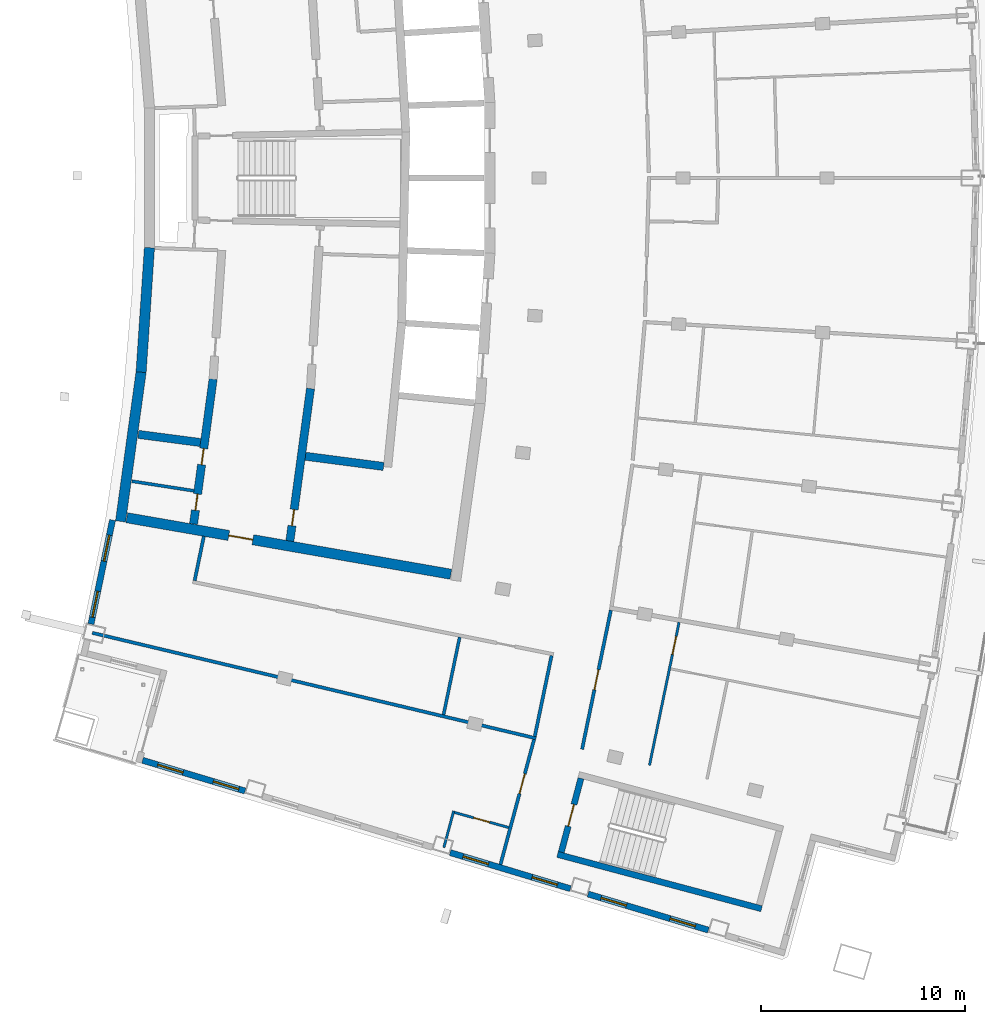
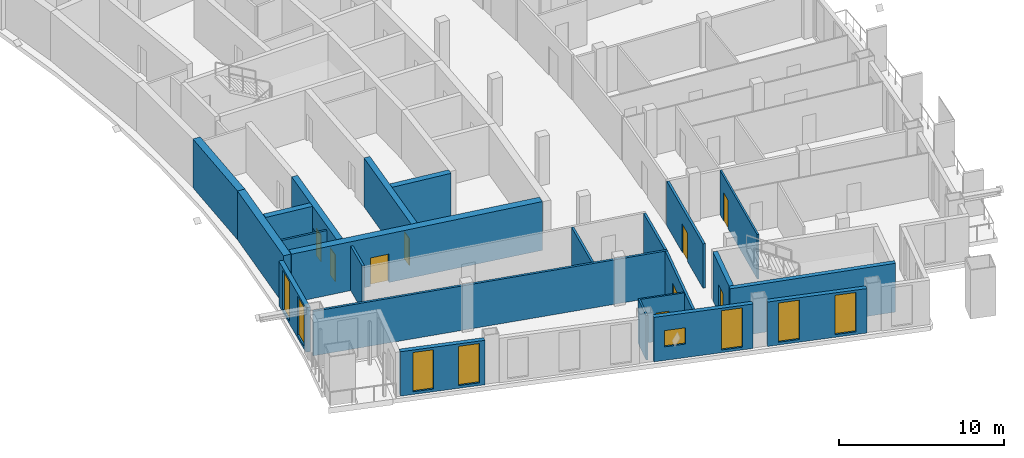
# One storey, part 7 of 15: 23 walls, 9 doors, 8 windows, 17 openings.
"""IFC4 building model written with IfcOpenShell, lengths in metres."""

from ifc_helpers import new_model, si_unit, direction, frame, frame_2d, origin, place, context, subcontext, project, spatial, rectangle, extrude, material, layer, layer_set, type_object, element, fill, save


model = new_model("IFC4")

# Units and contexts
model_context = context("Model", 3, precision=1e-05, world=origin(), true_north=direction((0.0, 1.0)))
body_context = subcontext(model_context, "Body", "Model", "MODEL_VIEW")
ifc_project = project(units=[si_unit("LENGTHUNIT", "METRE"), si_unit("AREAUNIT", "SQUARE_METRE"), si_unit("VOLUMEUNIT", "CUBIC_METRE"), si_unit("PLANEANGLEUNIT", "RADIAN"), si_unit("MASSUNIT", "GRAM", prefix="KILO")], contexts=[model_context])

# Site, building, storey
site_placement = place(None, origin())
site = spatial("IfcSite", under=ifc_project, at=site_placement, CompositionType="ELEMENT")
building_placement = place(site_placement, origin())
building = spatial("IfcBuilding", under=site, at=building_placement, Name="Alderwake Tower", CompositionType="ELEMENT")
storey_placement = place(building_placement, frame((0.0, 0.0, 252.800048828125)))
storey = spatial("IfcBuildingStorey", under=building, at=storey_placement, Name="L62", CompositionType="ELEMENT", Elevation=252.800048828125)

# Walls
ifc_material_1 = material(Name="Gypsum shaft wall system, rated")
ifc_layer_1 = layer(ifc_material_1, 0.14990234375)
ifc_layer_set_1 = layer_set([ifc_layer_1], Name="Core room partition 150")
wall_type_1 = type_object("IfcWallType", Name="Core room partition 150", PredefinedType="PARTITIONING", material=ifc_layer_set_1)
wall_1_placement = place(storey_placement, frame((15.826416015625, 46.128662109375, 0.0), z_axis=(0.0, 0.0, 1.0), x_axis=(0.988169349882, -0.153366671587, 0.0)))
element("IfcWall", 1, at=wall_1_placement, inside=storey, type_object=wall_type_1, Name="CW/L62/PR-161_+0", PredefinedType="PARTITIONING", context=body_context, shape_type="SweptSolid", body=[
    extrude(rectangle(XDim=3.081787109375, YDim=0.14990234375, at=frame_2d((1.541015625, 0.0))), origin(), (0.0, 0.0, 1.0), 3.280029296875),
])
ifc_material_2 = material(Name="Concrete C70/85", Category="concrete")
ifc_layer_2 = layer(ifc_material_2, 0.5)
ifc_layer_set_2 = layer_set([ifc_layer_2], Name="Core wall outer 500 C70-85")
wall_type_2 = type_object("IfcWallType", Name="Core wall outer 500 C70-85", PredefinedType="SHEAR", material=ifc_layer_set_2)
wall_2_placement = place(storey_placement, frame((15.272216796875, 44.155029296875, 0.0), z_axis=(0.0, 0.0, 1.0), x_axis=(0.13632182908, 0.990664604655, 0.0)))
element("IfcWall", 2, at=wall_2_placement, inside=storey, type_object=wall_type_2, Name="Core wall CW.028", PredefinedType="SHEAR", context=body_context, shape_type="SweptSolid", body=[
    extrude(rectangle(XDim=7.408935546875, YDim=0.5, at=frame_2d((3.70458984375, 0.0))), origin(), (0.0, 0.0, 1.0), 3.599853515625),
])
wall_3_placement = place(storey_placement, frame((16.280517578125, 51.4765625, 0.0), z_axis=(0.0, 0.0, 1.0), x_axis=(0.066863022947, 0.997762164127, 0.0)))
element("IfcWall", 3, at=wall_3_placement, inside=storey, type_object=wall_type_2, Name="Core wall CW.027", PredefinedType="SHEAR", context=body_context, shape_type="SweptSolid", body=[
    extrude(rectangle(XDim=6.123291015625, YDim=0.5, at=frame_2d((3.0615234375, 0.0))), origin(), (0.0, 0.0, 1.0), 3.599853515625),
])

# Wall, opening, door
wall_4_placement = place(storey_placement, frame((31.47802734375, 41.564453125, 0.0), z_axis=(0.0, 0.0, 1.0), x_axis=(-0.985140274783, 0.171751678306, 0.0)))
wall_4 = element("IfcWall", 4, at=wall_4_placement, inside=storey, type_object=wall_type_2, Name="Core wall CW.072", PredefinedType="SHEAR", context=body_context, shape_type="SweptSolid", body=[
    extrude(rectangle(XDim=16.137939453125, YDim=0.5, at=frame_2d((8.06884765625, 0.0))), origin(), (0.0, 0.0, 1.0), 3.599853515625),
])
opening_1_placement = place(wall_4_placement, frame((9.859619140625, 0.0, 0.0)))
opening_1 = element("IfcOpeningElement", 5, at=opening_1_placement, cuts=wall_4, Name="Opening C003", PredefinedType="OPENING", context=body_context, shape_type="SweptSolid", body=[
    extrude(rectangle(XDim=1.199951171875, YDim=2.10009765625, at=frame_2d((0.60009765625, 1.050048828125))), frame((0.0, 0.260009765625, 0.0), z_axis=(0.0, -1.0, 0.0), x_axis=(1.0, 0.0, 0.0)), (0.0, 0.0, 1.0), 0.52001953125),
])
ifc_material_3 = material(Name="Steel-framed fire door leaf", Category="steel")
door_type_1 = type_object("IfcDoorType", Name="Core lobby exit door 1200 fire-rated", OperationType="SINGLE_SWING_LEFT", PredefinedType="DOOR", material=ifc_material_3)
door_1_placement = place(opening_1_placement, origin())
door_1 = element("IfcDoor", 6, at=door_1_placement, inside=storey, type_object=door_type_1, Name="Lobby door", OperationType="SINGLE_SWING_LEFT", OverallHeight=2.10009765625, OverallWidth=1.199951171875, PredefinedType="DOOR", context=body_context, shape_type="SweptSolid", body=[
    extrude(rectangle(XDim=1.199951171875, YDim=2.10009765625, at=frame_2d((0.60009765625, 1.050048828125))), frame((0.0, 0.02490234375, 0.0), z_axis=(0.0, -1.0, 0.0), x_axis=(1.0, 0.0, 0.0)), (0.0, 0.0, 1.0), 0.050048828125),
])
fill(opening_1, door_1)

# Wall, openings, doors
ifc_material_4 = material(Name="Concrete C70/85", Category="concrete")
ifc_layer_3 = layer(ifc_material_4, 0.39990234375)
ifc_layer_set_3 = layer_set([ifc_layer_3], Name="Core wall spine 400 C70-85")
wall_type_3 = type_object("IfcWallType", Name="Core wall spine 400 C70-85", PredefinedType="SHEAR", material=ifc_layer_set_3)
wall_5_placement = place(storey_placement, frame((19.814697265625, 51.143798828125, 0.0), z_axis=(0.0, 0.0, 1.0), x_axis=(-0.133823115837, -0.991005233925, 0.0)))
wall_5 = element("IfcWall", 7, at=wall_5_placement, inside=storey, type_object=wall_type_3, Name="Core wall CW.033", PredefinedType="SHEAR", context=body_context, shape_type="SweptSolid", body=[
    extrude(rectangle(XDim=7.1787109375, YDim=0.39990234375, at=frame_2d((3.58935546875, 0.0))), origin(), (0.0, 0.0, 1.0), 3.599853515625),
])
opening_2_placement = place(wall_5_placement, frame((5.69677734375, 0.0, 0.0)))
opening_2 = element("IfcOpeningElement", 8, at=opening_2_placement, cuts=wall_5, Name="Opening C009", PredefinedType="OPENING", context=body_context, shape_type="SweptSolid", body=[
    extrude(rectangle(XDim=0.800048828125, YDim=2.0, at=frame_2d((0.39990234375, 1.0))), frame((0.0, 0.2099609375, 0.0), z_axis=(0.0, -1.0, 0.0), x_axis=(1.0, 0.0, 0.0)), (0.0, 0.0, 1.0), 0.419921875),
])
opening_3_placement = place(wall_5_placement, frame((3.443115234375, 0.0, 0.0)))
opening_3 = element("IfcOpeningElement", 9, at=opening_3_placement, cuts=wall_5, Name="Opening C010", PredefinedType="OPENING", context=body_context, shape_type="SweptSolid", body=[
    extrude(rectangle(XDim=0.800048828125, YDim=2.0, at=frame_2d((0.39990234375, 1.0))), frame((0.0, 0.2099609375, 0.0), z_axis=(0.0, -1.0, 0.0), x_axis=(1.0, 0.0, 0.0)), (0.0, 0.0, 1.0), 0.419921875),
])
ifc_material_5 = material(Name="Painted steel leaf, rated", Category="steel")
door_type_2 = type_object("IfcDoorType", Name="Riser access door 800", OperationType="SINGLE_SWING_LEFT", PredefinedType="DOOR", material=ifc_material_5)
door_2_placement = place(opening_2_placement, origin())
door_2 = element("IfcDoor", 10, at=door_2_placement, inside=storey, type_object=door_type_2, Name="Riser access door", OperationType="SINGLE_SWING_LEFT", OverallHeight=2.0, OverallWidth=0.800048828125, PredefinedType="DOOR", context=body_context, shape_type="SweptSolid", body=[
    extrude(rectangle(XDim=0.800048828125, YDim=2.0, at=frame_2d((0.39990234375, 1.0))), frame((0.0, 0.02490234375, 0.0), z_axis=(0.0, -1.0, 0.0), x_axis=(1.0, 0.0, 0.0)), (0.0, 0.0, 1.0), 0.050048828125),
])
fill(opening_2, door_2)
door_3_placement = place(opening_3_placement, origin())
door_3 = element("IfcDoor", 11, at=door_3_placement, inside=storey, type_object=door_type_2, Name="Riser access door", OperationType="SINGLE_SWING_RIGHT", OverallHeight=2.0, OverallWidth=0.800048828125, PredefinedType="DOOR", context=body_context, shape_type="SweptSolid", body=[
    extrude(rectangle(XDim=0.800048828125, YDim=2.0, at=frame_2d((0.39990234375, 1.0))), frame((0.0, 0.02490234375, 0.0), z_axis=(0.0, -1.0, 0.0), x_axis=(1.0, 0.0, 0.0)), (0.0, 0.0, 1.0), 0.050048828125),
])
fill(opening_3, door_3)

# Wall, opening, door
wall_6_placement = place(storey_placement, frame((23.58056640625, 43.19384765625, 0.0), z_axis=(0.0, 0.0, 1.0), x_axis=(0.133962545762, 0.990986395635, 0.0)))
wall_6 = element("IfcWall", 12, at=wall_6_placement, inside=storey, type_object=wall_type_3, Name="Core wall CW.047", PredefinedType="SHEAR", context=body_context, shape_type="SweptSolid", body=[
    extrude(rectangle(XDim=7.546875, YDim=0.39990234375, at=frame_2d((3.7734375, 0.0))), origin(), (0.0, 0.0, 1.0), 3.599853515625),
])
opening_4_placement = place(wall_6_placement, frame((0.7578125, 0.0, 0.0)))
opening_4 = element("IfcOpeningElement", 13, at=opening_4_placement, cuts=wall_6, Name="Opening C013", PredefinedType="OPENING", context=body_context, shape_type="SweptSolid", body=[
    extrude(rectangle(XDim=0.800048828125, YDim=2.0, at=frame_2d((0.39990234375, 1.0))), frame((0.0, 0.2099609375, 0.0), z_axis=(0.0, -1.0, 0.0), x_axis=(1.0, 0.0, 0.0)), (0.0, 0.0, 1.0), 0.419921875),
])
door_4_placement = place(opening_4_placement, origin())
door_4 = element("IfcDoor", 14, at=door_4_placement, inside=storey, type_object=door_type_2, Name="Riser access door", OperationType="SINGLE_SWING_LEFT", OverallHeight=2.0, OverallWidth=0.800048828125, PredefinedType="DOOR", context=body_context, shape_type="SweptSolid", body=[
    extrude(rectangle(XDim=0.800048828125, YDim=2.0, at=frame_2d((0.39990234375, 1.0))), frame((0.0, 0.02490234375, 0.0), z_axis=(0.0, -1.0, 0.0), x_axis=(1.0, 0.0, 0.0)), (0.0, 0.0, 1.0), 0.050048828125),
])
fill(opening_4, door_4)

# Walls
wall_7_placement = place(storey_placement, frame((16.142578125, 48.42529296875, 0.0), z_axis=(0.0, 0.0, 1.0), x_axis=(0.991550757989, -0.129719290517, 0.0)))
element("IfcWall", 15, at=wall_7_placement, inside=storey, type_object=wall_type_3, Name="Core wall CW.067", PredefinedType="SHEAR", context=body_context, shape_type="SweptSolid", body=[
    extrude(rectangle(XDim=3.0751953125, YDim=0.39990234375, at=frame_2d((1.53759765625, 0.0))), origin(), (0.0, 0.0, 1.0), 3.599853515625),
])
wall_8_placement = place(storey_placement, frame((24.344482421875, 47.3525390625, 0.0), z_axis=(0.0, 0.0, 1.0), x_axis=(0.991554578278, -0.12969008557, 0.0)))
element("IfcWall", 16, at=wall_8_placement, inside=storey, type_object=wall_type_3, Name="Core wall CW.069", PredefinedType="SHEAR", context=body_context, shape_type="SweptSolid", body=[
    extrude(rectangle(XDim=3.86669921875, YDim=0.39990234375, at=frame_2d((1.933349609375, 0.0))), origin(), (0.0, 0.0, 1.0), 3.599853515625),
])
ifc_material_6 = material(Name="Concrete C70/85", Category="concrete")
ifc_layer_4 = layer(ifc_material_6, 0.300048828125)
ifc_layer_set_4 = layer_set([ifc_layer_4], Name="Core wall stair enclosure 300 C70-85")
wall_type_4 = type_object("IfcWallType", Name="Core wall stair enclosure 300 C70-85", PredefinedType="SHEAR", material=ifc_layer_set_4)
wall_9_placement = place(storey_placement, frame((36.71142578125, 27.817626953125, 0.0), z_axis=(0.0, 0.0, 1.0), x_axis=(0.966309214305, -0.257383958996, 0.0)))
element("IfcWall", 17, at=wall_9_placement, inside=storey, type_object=wall_type_4, Name="Core wall CW.088", PredefinedType="SHEAR", context=body_context, shape_type="SweptSolid", body=[
    extrude(rectangle(XDim=10.360107421875, YDim=0.300048828125, at=frame_2d((5.18017578125, 0.0))), origin(), (0.0, 0.0, 1.0), 3.599853515625),
])

# Wall, opening, door
wall_10_placement = place(storey_placement, frame((36.89501953125, 27.923828125, 0.0), z_axis=(0.0, 0.0, 1.0), x_axis=(0.257350630826, 0.966318090907, 0.0)))
wall_10 = element("IfcWall", 18, at=wall_10_placement, inside=storey, type_object=wall_type_4, Name="Core wall CW.087", PredefinedType="SHEAR", context=body_context, shape_type="SweptSolid", body=[
    extrude(rectangle(XDim=3.75, YDim=0.300048828125, at=frame_2d((1.875, 0.0))), origin(), (0.0, 0.0, 1.0), 3.599853515625),
])
opening_5_placement = place(wall_10_placement, frame((1.324951171875, 0.0, 0.0)))
opening_5 = element("IfcOpeningElement", 19, at=opening_5_placement, cuts=wall_10, Name="Opening C065", PredefinedType="OPENING", context=body_context, shape_type="SweptSolid", body=[
    extrude(rectangle(XDim=1.10009765625, YDim=2.10009765625, at=frame_2d((0.550048828125, 1.050048828125))), frame((0.0, 0.159912109375, 0.0), z_axis=(0.0, -1.0, 0.0), x_axis=(1.0, 0.0, 0.0)), (0.0, 0.0, 1.0), 0.320068359375),
])
ifc_material_7 = material(Name="Steel-framed fire door leaf", Category="steel")
door_type_3 = type_object("IfcDoorType", Name="Core stair door 1100 fire-rated", OperationType="SINGLE_SWING_LEFT", PredefinedType="DOOR", material=ifc_material_7)
door_5_placement = place(opening_5_placement, origin())
door_5 = element("IfcDoor", 20, at=door_5_placement, inside=storey, type_object=door_type_3, Name="Stair door", OperationType="SINGLE_SWING_LEFT", OverallHeight=2.10009765625, OverallWidth=1.10009765625, PredefinedType="DOOR", context=body_context, shape_type="SweptSolid", body=[
    extrude(rectangle(XDim=1.10009765625, YDim=2.10009765625, at=frame_2d((0.550048828125, 1.050048828125))), frame((0.0, 0.02490234375, 0.0), z_axis=(0.0, -1.0, 0.0), x_axis=(1.0, 0.0, 0.0)), (0.0, 0.0, 1.0), 0.050048828125),
])
fill(opening_5, door_5)

# Walls
ifc_material_8 = material(Name="Gypsum board on metal studs, rated")
ifc_layer_5 = layer(ifc_material_8, 0.159912109375)
ifc_layer_set_5 = layer_set([ifc_layer_5], Name="Corridor wall 160")
wall_type_5 = type_object("IfcWallType", Name="Corridor wall 160", PredefinedType="PARTITIONING", material=ifc_layer_set_5)
wall_11_placement = place(storey_placement, frame((13.884033203125, 38.68798828125, 0.0), z_axis=(0.0, 0.0, 1.0), x_axis=(0.972893462073, -0.231253781493, 0.0)))
element("IfcWall", 21, at=wall_11_placement, inside=storey, type_object=wall_type_5, Name="WL/L62/W08", PredefinedType="PARTITIONING", context=body_context, shape_type="SweptSolid", body=[
    extrude(rectangle(XDim=22.38037109375, YDim=0.159912109375, at=frame_2d((11.190185546875, 0.0))), origin(), (0.0, 0.0, 1.0), 3.280029296875),
])
wall_12_placement = place(storey_placement, frame((19.35888671875, 43.430908203125, 0.0), z_axis=(0.0, 0.0, 1.0), x_axis=(-0.202554916658, -0.979270905183, 0.0)))
element("IfcWall", 22, at=wall_12_placement, inside=storey, type_object=wall_type_5, Name="WL/L62/W10", PredefinedType="PARTITIONING", context=body_context, shape_type="SweptSolid", body=[
    extrude(rectangle(XDim=2.229736328125, YDim=0.159912109375, at=frame_2d((1.11474609375, 0.0))), origin(), (0.0, 0.0, 1.0), 3.280029296875),
])

# Wall, opening, door
wall_13_placement = place(storey_placement, frame((33.912109375, 27.321044921875, 0.0), z_axis=(0.0, 0.0, 1.0), x_axis=(0.259370874835, 0.965777794986, 0.0)))
wall_13 = element("IfcWall", 23, at=wall_13_placement, inside=storey, type_object=wall_type_5, Name="WL/L62/W13", PredefinedType="PARTITIONING", context=body_context, shape_type="SweptSolid", body=[
    extrude(rectangle(XDim=6.349853515625, YDim=0.159912109375, at=frame_2d((3.1748046875, 0.0))), origin(), (0.0, 0.0, 1.0), 3.280029296875),
])
opening_6_placement = place(wall_13_placement, frame((3.603515625, 0.0, 0.0)))
opening_6 = element("IfcOpeningElement", 24, at=opening_6_placement, cuts=wall_13, Name="Opening R17-U08.1", PredefinedType="OPENING", context=body_context, shape_type="SweptSolid", body=[
    extrude(rectangle(XDim=1.0, YDim=2.10009765625, at=frame_2d((0.5, 1.050048828125))), frame((0.0, 0.08984375, 0.0), z_axis=(0.0, -1.0, 0.0), x_axis=(1.0, 0.0, 0.0)), (0.0, 0.0, 1.0), 0.179931640625),
])
ifc_material_9 = material(Name="Solid timber leaf in steel frame", Category="steel")
door_type_4 = type_object("IfcDoorType", Name="Flat entrance door 1000 fire-rated", OperationType="SINGLE_SWING_LEFT", PredefinedType="DOOR", material=ifc_material_9)
door_6_placement = place(opening_6_placement, origin())
door_6 = element("IfcDoor", 25, at=door_6_placement, inside=storey, type_object=door_type_4, Name="DR/L62/U08.1", OperationType="SINGLE_SWING_LEFT", OverallHeight=2.10009765625, OverallWidth=1.0, PredefinedType="DOOR", context=body_context, shape_type="SweptSolid", body=[
    extrude(rectangle(XDim=1.0, YDim=2.10009765625, at=frame_2d((0.5, 1.050048828125))), frame((0.0, 0.02490234375, 0.0), z_axis=(0.0, -1.0, 0.0), x_axis=(1.0, 0.0, 0.0)), (0.0, 0.0, 1.0), 0.050048828125),
])
fill(opening_6, door_6)

# Wall
wall_14_placement = place(storey_placement, frame((36.418701171875, 37.57177734375, 0.0), z_axis=(0.0, 0.0, 1.0), x_axis=(-0.203245920818, -0.979127721838, 0.0)))
element("IfcWall", 26, at=wall_14_placement, inside=storey, type_object=wall_type_5, Name="WL/L62/W16", PredefinedType="PARTITIONING", context=body_context, shape_type="SweptSolid", body=[
    extrude(rectangle(XDim=4.046875, YDim=0.159912109375, at=frame_2d((2.0234375, 0.0))), origin(), (0.0, 0.0, 1.0), 3.280029296875),
])

# Wall, opening, door
wall_15_placement = place(storey_placement, frame((39.32763671875, 39.799072265625, 0.0), z_axis=(0.0, 0.0, 1.0), x_axis=(-0.202466556983, -0.979289177569, 0.0)))
wall_15 = element("IfcWall", 27, at=wall_15_placement, inside=storey, type_object=wall_type_5, Name="WL/L62/W18", PredefinedType="PARTITIONING", context=body_context, shape_type="SweptSolid", body=[
    extrude(rectangle(XDim=6.96728515625, YDim=0.159912109375, at=frame_2d((3.483642578125, 0.0))), origin(), (0.0, 0.0, 1.0), 3.280029296875),
])
opening_7_placement = place(wall_15_placement, frame((2.983642578125, 0.0, 0.0)))
opening_7 = element("IfcOpeningElement", 28, at=opening_7_placement, cuts=wall_15, Name="Opening R17-U03.1", PredefinedType="OPENING", context=body_context, shape_type="SweptSolid", body=[
    extrude(rectangle(XDim=1.0, YDim=2.10009765625, at=frame_2d((0.5, 1.050048828125))), frame((0.0, 0.08984375, 0.0), z_axis=(0.0, -1.0, 0.0), x_axis=(1.0, 0.0, 0.0)), (0.0, 0.0, 1.0), 0.179931640625),
])
door_7_placement = place(opening_7_placement, origin())
door_7 = element("IfcDoor", 29, at=door_7_placement, inside=storey, type_object=door_type_4, Name="DR/L62/U03.1", OperationType="SINGLE_SWING_LEFT", OverallHeight=2.10009765625, OverallWidth=1.0, PredefinedType="DOOR", context=body_context, shape_type="SweptSolid", body=[
    extrude(rectangle(XDim=1.0, YDim=2.10009765625, at=frame_2d((0.5, 1.050048828125))), frame((0.0, 0.02490234375, 0.0), z_axis=(0.0, -1.0, 0.0), x_axis=(1.0, 0.0, 0.0)), (0.0, 0.0, 1.0), 0.050048828125),
])
fill(opening_7, door_7)

# Wall, openings, windows
ifc_material_10 = material(Name="Precast concrete C50/60 spandrel panel", Category="concrete")
ifc_layer_6 = layer(ifc_material_10, 0.300048828125)
ifc_layer_set_6 = layer_set([ifc_layer_6], Name="External wall EW1 Precast concrete C50/60 spandrel")
wall_type_6 = type_object("IfcWallType", Name="External wall EW1 Precast concrete C50/60 spandrel", PredefinedType="SOLIDWALL", material=ifc_layer_set_6)
wall_16_placement = place(storey_placement, frame((14.878173828125, 44.223388671875, 0.0), z_axis=(0.0, 0.0, 1.0), x_axis=(-0.202760516883, -0.979228355795, 0.0)))
wall_16 = element("IfcWall", 30, at=wall_16_placement, inside=storey, type_object=wall_type_6, Name="External wall 32", PredefinedType="SOLIDWALL", context=body_context, shape_type="SweptSolid", body=[
    extrude(rectangle(XDim=5.211181640625, YDim=0.300048828125, at=frame_2d((2.60546875, 0.0))), origin(), (0.0, 0.0, 1.0), 3.280029296875),
])
opening_8_placement = place(wall_16_placement, frame((0.75634765625, 0.0, 0.199951171875)))
opening_8 = element("IfcOpeningElement", 31, at=opening_8_placement, cuts=wall_16, Name="Opening W1", PredefinedType="OPENING", context=body_context, shape_type="SweptSolid", body=[
    extrude(rectangle(XDim=1.300048828125, YDim=2.89990234375, at=frame_2d((0.64990234375, 1.449951171875))), frame((0.0, 0.159912109375, 0.0), z_axis=(0.0, -1.0, 0.0), x_axis=(1.0, 0.0, 0.0)), (0.0, 0.0, 1.0), 0.320068359375),
])
opening_9_placement = place(wall_16_placement, frame((3.569091796875, 0.0, 0.199951171875)))
opening_9 = element("IfcOpeningElement", 32, at=opening_9_placement, cuts=wall_16, Name="Opening W1", PredefinedType="OPENING", context=body_context, shape_type="SweptSolid", body=[
    extrude(rectangle(XDim=1.300048828125, YDim=2.89990234375, at=frame_2d((0.64990234375, 1.449951171875))), frame((0.0, 0.159912109375, 0.0), z_axis=(0.0, -1.0, 0.0), x_axis=(1.0, 0.0, 0.0)), (0.0, 0.0, 1.0), 0.320068359375),
])
ifc_material_11 = material(Name="Bronze tinted glass in aluminium frame", Category="aluminium")
window_type_1 = type_object("IfcWindowType", Name="Window W1 tall fixed and vent", PartitioningType="DOUBLE_PANEL_VERTICAL", PredefinedType="WINDOW", material=ifc_material_11)
window_1_placement = place(opening_8_placement, origin())
window_1 = element("IfcWindow", 33, at=window_1_placement, inside=storey, type_object=window_type_1, Name="Window W1 tall fixed and vent", OverallHeight=2.89990234375, OverallWidth=1.300048828125, PartitioningType="DOUBLE_PANEL_VERTICAL", PredefinedType="WINDOW", context=body_context, shape_type="SweptSolid", body=[
    extrude(rectangle(XDim=1.300048828125, YDim=2.89990234375, at=frame_2d((0.64990234375, 1.449951171875))), frame((0.0, 0.030029296875, 0.0), z_axis=(0.0, -1.0, 0.0), x_axis=(1.0, 0.0, 0.0)), (0.0, 0.0, 1.0), 0.06005859375),
])
fill(opening_8, window_1)
window_2_placement = place(opening_9_placement, origin())
window_2 = element("IfcWindow", 34, at=window_2_placement, inside=storey, type_object=window_type_1, Name="Window W1 tall fixed and vent", OverallHeight=2.89990234375, OverallWidth=1.300048828125, PartitioningType="DOUBLE_PANEL_VERTICAL", PredefinedType="WINDOW", context=body_context, shape_type="SweptSolid", body=[
    extrude(rectangle(XDim=1.300048828125, YDim=2.89990234375, at=frame_2d((0.64990234375, 1.449951171875))), frame((0.0, 0.030029296875, 0.0), z_axis=(0.0, -1.0, 0.0), x_axis=(1.0, 0.0, 0.0)), (0.0, 0.0, 1.0), 0.06005859375),
])
fill(opening_9, window_2)

ifc_material_12 = material(Name="Bronze metal cladding on lightweight framing")
ifc_layer_7 = layer(ifc_material_12, 0.300048828125)
ifc_layer_set_7 = layer_set([ifc_layer_7], Name="External wall EW2 bronze metal cladding")
wall_type_7 = type_object("IfcWallType", Name="External wall EW2 bronze metal cladding", PredefinedType="SOLIDWALL", material=ifc_layer_set_7)
wall_17_placement = place(storey_placement, frame((16.352783203125, 32.4375, 0.0), z_axis=(0.0, 0.0, 1.0), x_axis=(0.957768668152, -0.287539872551, 0.0)))
wall_17 = element("IfcWall", 35, at=wall_17_placement, inside=storey, type_object=wall_type_7, Name="External wall 4", PredefinedType="SOLIDWALL", context=body_context, shape_type="SweptSolid", body=[
    extrude(rectangle(XDim=5.249755859375, YDim=0.300048828125, at=frame_2d((2.625, 0.0))), origin(), (0.0, 0.0, 1.0), 3.280029296875),
])
opening_10_placement = place(wall_17_placement, frame((0.775390625, 0.0, 0.199951171875)))
opening_10 = element("IfcOpeningElement", 36, at=opening_10_placement, cuts=wall_17, Name="Opening W1", PredefinedType="OPENING", context=body_context, shape_type="SweptSolid", body=[
    extrude(rectangle(XDim=1.300048828125, YDim=2.89990234375, at=frame_2d((0.64990234375, 1.449951171875))), frame((0.0, 0.159912109375, 0.0), z_axis=(0.0, -1.0, 0.0), x_axis=(1.0, 0.0, 0.0)), (0.0, 0.0, 1.0), 0.320068359375),
])
opening_11_placement = place(wall_17_placement, frame((3.626220703125, 0.0, 0.199951171875)))
opening_11 = element("IfcOpeningElement", 37, at=opening_11_placement, cuts=wall_17, Name="Opening W1", PredefinedType="OPENING", context=body_context, shape_type="SweptSolid", body=[
    extrude(rectangle(XDim=1.300048828125, YDim=2.89990234375, at=frame_2d((0.64990234375, 1.449951171875))), frame((0.0, 0.159912109375, 0.0), z_axis=(0.0, -1.0, 0.0), x_axis=(1.0, 0.0, 0.0)), (0.0, 0.0, 1.0), 0.320068359375),
])
window_3_placement = place(opening_10_placement, origin())
window_3 = element("IfcWindow", 38, at=window_3_placement, inside=storey, type_object=window_type_1, Name="Window W1 tall fixed and vent", OverallHeight=2.89990234375, OverallWidth=1.300048828125, PartitioningType="DOUBLE_PANEL_VERTICAL", PredefinedType="WINDOW", context=body_context, shape_type="SweptSolid", body=[
    extrude(rectangle(XDim=1.300048828125, YDim=2.89990234375, at=frame_2d((0.64990234375, 1.449951171875))), frame((0.0, 0.030029296875, 0.0), z_axis=(0.0, -1.0, 0.0), x_axis=(1.0, 0.0, 0.0)), (0.0, 0.0, 1.0), 0.06005859375),
])
fill(opening_10, window_3)
window_4_placement = place(opening_11_placement, origin())
window_4 = element("IfcWindow", 39, at=window_4_placement, inside=storey, type_object=window_type_1, Name="Window W1 tall fixed and vent", OverallHeight=2.89990234375, OverallWidth=1.300048828125, PartitioningType="DOUBLE_PANEL_VERTICAL", PredefinedType="WINDOW", context=body_context, shape_type="SweptSolid", body=[
    extrude(rectangle(XDim=1.300048828125, YDim=2.89990234375, at=frame_2d((0.64990234375, 1.449951171875))), frame((0.0, 0.030029296875, 0.0), z_axis=(0.0, -1.0, 0.0), x_axis=(1.0, 0.0, 0.0)), (0.0, 0.0, 1.0), 0.06005859375),
])
fill(opening_11, window_4)

wall_18_placement = place(storey_placement, frame((31.441162109375, 27.90771484375, 0.0), z_axis=(0.0, 0.0, 1.0), x_axis=(0.957757574336, -0.287576822436, 0.0)))
wall_18 = element("IfcWall", 40, at=wall_18_placement, inside=storey, type_object=wall_type_7, Name="External wall 6", PredefinedType="SOLIDWALL", context=body_context, shape_type="SweptSolid", body=[
    extrude(rectangle(XDim=6.163330078125, YDim=0.300048828125, at=frame_2d((3.08154296875, 0.0))), origin(), (0.0, 0.0, 1.0), 3.280029296875),
])
opening_12_placement = place(wall_18_placement, frame((0.664794921875, 0.0, 1.0)))
opening_12 = element("IfcOpeningElement", 41, at=opening_12_placement, cuts=wall_18, Name="Opening W2", PredefinedType="OPENING", context=body_context, shape_type="SweptSolid", body=[
    extrude(rectangle(XDim=1.300048828125, YDim=1.199951171875, at=frame_2d((0.64990234375, 0.60009765625))), frame((0.0, 0.159912109375, 0.0), z_axis=(0.0, -1.0, 0.0), x_axis=(1.0, 0.0, 0.0)), (0.0, 0.0, 1.0), 0.320068359375),
])
opening_13_placement = place(wall_18_placement, frame((4.1982421875, 0.0, 0.199951171875)))
opening_13 = element("IfcOpeningElement", 42, at=opening_13_placement, cuts=wall_18, Name="Opening W1", PredefinedType="OPENING", context=body_context, shape_type="SweptSolid", body=[
    extrude(rectangle(XDim=1.300048828125, YDim=2.89990234375, at=frame_2d((0.64990234375, 1.449951171875))), frame((0.0, 0.159912109375, 0.0), z_axis=(0.0, -1.0, 0.0), x_axis=(1.0, 0.0, 0.0)), (0.0, 0.0, 1.0), 0.320068359375),
])
window_5_placement = place(opening_13_placement, origin())
window_5 = element("IfcWindow", 43, at=window_5_placement, inside=storey, type_object=window_type_1, Name="Window W1 tall fixed and vent", OverallHeight=2.89990234375, OverallWidth=1.300048828125, PartitioningType="DOUBLE_PANEL_VERTICAL", PredefinedType="WINDOW", context=body_context, shape_type="SweptSolid", body=[
    extrude(rectangle(XDim=1.300048828125, YDim=2.89990234375, at=frame_2d((0.64990234375, 1.449951171875))), frame((0.0, 0.030029296875, 0.0), z_axis=(0.0, -1.0, 0.0), x_axis=(1.0, 0.0, 0.0)), (0.0, 0.0, 1.0), 0.06005859375),
])
fill(opening_13, window_5)
ifc_material_13 = material(Name="Bronze tinted glass in aluminium frame", Category="aluminium")
window_type_2 = type_object("IfcWindowType", Name="Window W2 kitchen and bath", PartitioningType="SINGLE_PANEL", PredefinedType="WINDOW", material=ifc_material_13)
window_6_placement = place(opening_12_placement, origin())
window_6 = element("IfcWindow", 44, at=window_6_placement, inside=storey, type_object=window_type_2, Name="Window W2 kitchen and bath", OverallHeight=1.199951171875, OverallWidth=1.300048828125, PartitioningType="SINGLE_PANEL", PredefinedType="WINDOW", context=body_context, shape_type="SweptSolid", body=[
    extrude(rectangle(XDim=1.300048828125, YDim=1.199951171875, at=frame_2d((0.64990234375, 0.60009765625))), frame((0.0, 0.030029296875, 0.0), z_axis=(0.0, -1.0, 0.0), x_axis=(1.0, 0.0, 0.0)), (0.0, 0.0, 1.0), 0.06005859375),
])
fill(opening_12, window_6)

wall_19_placement = place(storey_placement, frame((38.20947265625, 25.87548828125, 0.0), z_axis=(0.0, 0.0, 1.0), x_axis=(0.957768483821, -0.28754048654, 0.0)))
wall_19 = element("IfcWall", 45, at=wall_19_placement, inside=storey, type_object=wall_type_7, Name="External wall 7", PredefinedType="SOLIDWALL", context=body_context, shape_type="SweptSolid", body=[
    extrude(rectangle(XDim=6.163330078125, YDim=0.300048828125, at=frame_2d((3.08154296875, 0.0))), origin(), (0.0, 0.0, 1.0), 3.280029296875),
])
opening_14_placement = place(wall_19_placement, frame((0.6650390625, 0.0, 0.199951171875)))
opening_14 = element("IfcOpeningElement", 46, at=opening_14_placement, cuts=wall_19, Name="Opening W1", PredefinedType="OPENING", context=body_context, shape_type="SweptSolid", body=[
    extrude(rectangle(XDim=1.300048828125, YDim=2.89990234375, at=frame_2d((0.64990234375, 1.449951171875))), frame((0.0, 0.159912109375, 0.0), z_axis=(0.0, -1.0, 0.0), x_axis=(1.0, 0.0, 0.0)), (0.0, 0.0, 1.0), 0.320068359375),
])
opening_15_placement = place(wall_19_placement, frame((4.1982421875, 0.0, 0.199951171875)))
opening_15 = element("IfcOpeningElement", 47, at=opening_15_placement, cuts=wall_19, Name="Opening W1", PredefinedType="OPENING", context=body_context, shape_type="SweptSolid", body=[
    extrude(rectangle(XDim=1.300048828125, YDim=2.89990234375, at=frame_2d((0.64990234375, 1.449951171875))), frame((0.0, 0.159912109375, 0.0), z_axis=(0.0, -1.0, 0.0), x_axis=(1.0, 0.0, 0.0)), (0.0, 0.0, 1.0), 0.320068359375),
])
window_7_placement = place(opening_14_placement, origin())
window_7 = element("IfcWindow", 48, at=window_7_placement, inside=storey, type_object=window_type_1, Name="Window W1 tall fixed and vent", OverallHeight=2.89990234375, OverallWidth=1.300048828125, PartitioningType="DOUBLE_PANEL_VERTICAL", PredefinedType="WINDOW", context=body_context, shape_type="SweptSolid", body=[
    extrude(rectangle(XDim=1.300048828125, YDim=2.89990234375, at=frame_2d((0.64990234375, 1.449951171875))), frame((0.0, 0.030029296875, 0.0), z_axis=(0.0, -1.0, 0.0), x_axis=(1.0, 0.0, 0.0)), (0.0, 0.0, 1.0), 0.06005859375),
])
fill(opening_14, window_7)
window_8_placement = place(opening_15_placement, origin())
window_8 = element("IfcWindow", 49, at=window_8_placement, inside=storey, type_object=window_type_1, Name="Window W1 tall fixed and vent", OverallHeight=2.89990234375, OverallWidth=1.300048828125, PartitioningType="DOUBLE_PANEL_VERTICAL", PredefinedType="WINDOW", context=body_context, shape_type="SweptSolid", body=[
    extrude(rectangle(XDim=1.300048828125, YDim=2.89990234375, at=frame_2d((0.64990234375, 1.449951171875))), frame((0.0, 0.030029296875, 0.0), z_axis=(0.0, -1.0, 0.0), x_axis=(1.0, 0.0, 0.0)), (0.0, 0.0, 1.0), 0.06005859375),
])
fill(opening_15, window_8)

# Walls
ifc_material_14 = material(Name="Gypsum shaft wall system, rated")
ifc_layer_8 = layer(ifc_material_14, 0.14990234375)
ifc_layer_set_8 = layer_set([ifc_layer_8], Name="Riser and shaft wall 150")
wall_type_8 = type_object("IfcWallType", Name="Riser and shaft wall 150", PredefinedType="PARTITIONING", material=ifc_layer_set_8)
wall_20_placement = place(storey_placement, frame((31.120361328125, 34.67138671875, 0.0), z_axis=(0.0, 0.0, 1.0), x_axis=(0.203103989328, 0.979157173042, 0.0)))
element("IfcWall", 50, at=wall_20_placement, inside=storey, type_object=wall_type_8, Name="WL/L62/W04", PredefinedType="PARTITIONING", context=body_context, shape_type="SweptSolid", body=[
    extrude(rectangle(XDim=3.887451171875, YDim=0.14990234375, at=frame_2d((1.94384765625, 0.0))), origin(), (0.0, 0.0, 1.0), 3.280029296875),
])
ifc_material_15 = material(Name="Moisture resistant gypsum board on metal studs")
ifc_layer_9 = layer(ifc_material_15, 0.1201171875)
ifc_layer_set_9 = layer_set([ifc_layer_9], Name="Wet room partition 120")
wall_type_9 = type_object("IfcWallType", Name="Wet room partition 120", PredefinedType="PARTITIONING", material=ifc_layer_set_9)
wall_21_placement = place(storey_placement, frame((31.61767578125, 29.949951171875, 0.0), z_axis=(0.0, 0.0, 1.0), x_axis=(-0.260171283127, -0.965562480338, 0.0)))
element("IfcWall", 51, at=wall_21_placement, inside=storey, type_object=wall_type_9, Name="WL/L62/W29", PredefinedType="PARTITIONING", context=body_context, shape_type="SweptSolid", body=[
    extrude(rectangle(XDim=1.85888671875, YDim=0.1201171875, at=frame_2d((0.929443359375, 0.0))), origin(), (0.0, 0.0, 1.0), 3.280029296875),
])

# Wall, opening, door
wall_22_placement = place(storey_placement, frame((34.31787109375, 29.136474609375, 0.0), z_axis=(0.0, 0.0, 1.0), x_axis=(-0.963407530319, 0.268040912036, 0.0)))
wall_22 = element("IfcWall", 52, at=wall_22_placement, inside=storey, type_object=wall_type_9, Name="WL/L62/W31", PredefinedType="PARTITIONING", context=body_context, shape_type="SweptSolid", body=[
    extrude(rectangle(XDim=2.759033203125, YDim=0.1201171875, at=frame_2d((1.37939453125, 0.0))), origin(), (0.0, 0.0, 1.0), 3.280029296875),
])
opening_16_placement = place(wall_22_placement, frame((0.9794921875, 0.0, 0.0)))
opening_16 = element("IfcOpeningElement", 53, at=opening_16_placement, cuts=wall_22, Name="Opening R17-U08.2", PredefinedType="OPENING", context=body_context, shape_type="SweptSolid", body=[
    extrude(rectangle(XDim=0.800048828125, YDim=2.10009765625, at=frame_2d((0.39990234375, 1.050048828125))), frame((0.0, 0.070068359375, 0.0), z_axis=(0.0, -1.0, 0.0), x_axis=(1.0, 0.0, 0.0)), (0.0, 0.0, 1.0), 0.14013671875),
])
ifc_material_16 = material(Name="Painted timber leaf", Category="wood")
door_type_5 = type_object("IfcDoorType", Name="Bathroom door 800", OperationType="SINGLE_SWING_LEFT", PredefinedType="DOOR", material=ifc_material_16)
door_8_placement = place(opening_16_placement, origin())
door_8 = element("IfcDoor", 54, at=door_8_placement, inside=storey, type_object=door_type_5, Name="DR/L62/U08.2", OperationType="SINGLE_SWING_LEFT", OverallHeight=2.10009765625, OverallWidth=0.800048828125, PredefinedType="DOOR", context=body_context, shape_type="SweptSolid", body=[
    extrude(rectangle(XDim=0.800048828125, YDim=2.10009765625, at=frame_2d((0.39990234375, 1.050048828125))), frame((0.0, 0.02490234375, 0.0), z_axis=(0.0, -1.0, 0.0), x_axis=(1.0, 0.0, 0.0)), (0.0, 0.0, 1.0), 0.050048828125),
])
fill(opening_16, door_8)

wall_23_placement = place(storey_placement, frame((42.67578125, 39.2080078125, 0.0), z_axis=(0.0, 0.0, 1.0), x_axis=(-0.20272162606, -0.979236407783, 0.0)))
wall_23 = element("IfcWall", 55, at=wall_23_placement, inside=storey, type_object=wall_type_9, Name="WL/L62/W33", PredefinedType="PARTITIONING", context=body_context, shape_type="SweptSolid", body=[
    extrude(rectangle(XDim=7.1669921875, YDim=0.1201171875, at=frame_2d((3.58349609375, 0.0))), origin(), (0.0, 0.0, 1.0), 3.280029296875),
])
opening_17_placement = place(wall_23_placement, frame((0.7109375, 0.0, 0.0)))
opening_17 = element("IfcOpeningElement", 56, at=opening_17_placement, cuts=wall_23, Name="Opening R17-U03.2", PredefinedType="OPENING", context=body_context, shape_type="SweptSolid", body=[
    extrude(rectangle(XDim=0.89990234375, YDim=2.10009765625, at=frame_2d((0.449951171875, 1.050048828125))), frame((0.0, 0.070068359375, 0.0), z_axis=(0.0, -1.0, 0.0), x_axis=(1.0, 0.0, 0.0)), (0.0, 0.0, 1.0), 0.14013671875),
])
ifc_material_17 = material(Name="Painted timber leaf", Category="wood")
door_type_6 = type_object("IfcDoorType", Name="Room door 900", OperationType="SINGLE_SWING_LEFT", PredefinedType="DOOR", material=ifc_material_17)
door_9_placement = place(opening_17_placement, origin())
door_9 = element("IfcDoor", 57, at=door_9_placement, inside=storey, type_object=door_type_6, Name="DR/L62/U03.2", OperationType="SINGLE_SWING_LEFT", OverallHeight=2.10009765625, OverallWidth=0.89990234375, PredefinedType="DOOR", context=body_context, shape_type="SweptSolid", body=[
    extrude(rectangle(XDim=0.89990234375, YDim=2.10009765625, at=frame_2d((0.449951171875, 1.050048828125))), frame((0.0, 0.02490234375, 0.0), z_axis=(0.0, -1.0, 0.0), x_axis=(1.0, 0.0, 0.0)), (0.0, 0.0, 1.0), 0.050048828125),
])
fill(opening_17, door_9)

save(model, "model.ifc")
